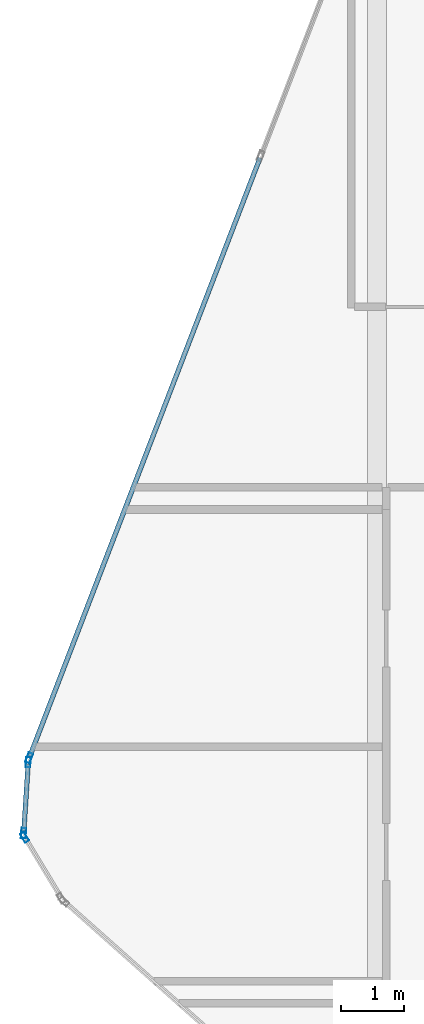
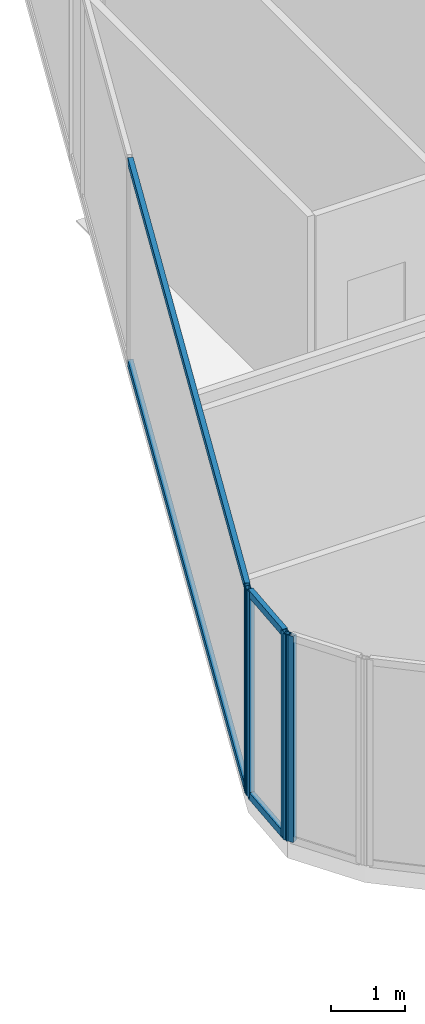
# One storey, part 8 of 27: 8 members, 3 elements without a shape of their own.
"""IFC4 building model written with IfcOpenShell, lengths in metres."""

from ifc_helpers import new_model, si_unit, direction, frame, origin, origin_2d, place, context, subcontext, project, spatial, hollow_rectangle, extrude, material, layer, layer_set, material_profile, profile_set, type_object, element, aggregate, save


model = new_model("IFC4")

# Units and contexts
model_context = context("Model", 3, precision=1e-05, world=origin(), true_north=direction((0.0, 1.0)))
body_context = subcontext(model_context, "Body", "Model", "MODEL_VIEW")
ifc_project = project(units=[si_unit("LENGTHUNIT", "METRE"), si_unit("AREAUNIT", "SQUARE_METRE"), si_unit("VOLUMEUNIT", "CUBIC_METRE"), si_unit("PLANEANGLEUNIT", "RADIAN"), si_unit("MASSUNIT", "GRAM", prefix="KILO")], contexts=[model_context])

# Site, building, storey
site_placement = place(None, origin())
site = spatial("IfcSite", under=ifc_project, at=site_placement, CompositionType="ELEMENT")
building_placement = place(site_placement, origin())
building = spatial("IfcBuilding", under=site, at=building_placement, Name="Keshet Zoharim Tower", CompositionType="ELEMENT")
storey_placement = place(building_placement, frame((0.0, 0.0, 284.300048828125)))
storey = spatial("IfcBuildingStorey", under=building, at=storey_placement, Name="L71", CompositionType="ELEMENT", Elevation=284.300048828125)

# Curtain wall, member
ifc_material = material(Name="Aluminium 6063-T6", Category="aluminium")
ifc_layer = layer(ifc_material, 0.260009765625)
ifc_layer_set = layer_set([ifc_layer], Name="Aluminium 6063-T6")
curtain_wall_type = type_object("IfcCurtainWallType", Name="CW-SYS-06", PredefinedType="NOTDEFINED", material=ifc_layer_set)
curtain_wall_1_placement = place(storey_placement, origin())
curtain_wall_1 = element("IfcCurtainWall", 1, at=curtain_wall_1_placement, inside=storey, type_object=curtain_wall_type, Name="L71 Unitised Curtain Wall 01", PredefinedType="NOTDEFINED")
ifc_material_profile_1 = material_profile(ifc_material, hollow_rectangle(XDim=0.074951171875, YDim=0.159912109375, WallThickness=0.00390625, at=origin_2d()), Name="MUL-75x160")
ifc_profile_set_1 = profile_set([ifc_material_profile_1], Name="Aluminium 6063-T6")
member_type_1 = type_object("IfcMemberType", Name="CWM-M15", PredefinedType="MULLION", material=ifc_profile_set_1)
member_1_placement = place(storey_placement, frame((3.43798828125, 22.77197265625, 0.0), z_axis=(0.0, 0.0, 1.0), x_axis=(-0.856826433805, -0.515604947933, 0.0)))
member_1 = element("IfcMember", 2, at=member_1_placement, type_object=member_type_1, Name="CW-06 mullion 2", PredefinedType="MULLION", context=body_context, shape_type="SweptSolid", body=[
    extrude(hollow_rectangle(XDim=0.074951171875, YDim=0.159912109375, WallThickness=0.00390625, at=origin_2d()), origin(), (0.0, 0.0, 1.0), 3.389892578125),
])
aggregate(curtain_wall_1, [member_1])

# Curtain wall, members
curtain_wall_2_placement = place(storey_placement, origin())
curtain_wall_2 = element("IfcCurtainWall", 3, at=curtain_wall_2_placement, inside=storey, type_object=curtain_wall_type, Name="L71 Unitised Curtain Wall 02", PredefinedType="NOTDEFINED")
member_2_placement = place(storey_placement, frame((3.42236328125, 22.8369140625, 0.0), z_axis=(0.0, 0.0, 1.0), x_axis=(-0.997916617186, 0.064516859374, 0.0)))
member_2 = element("IfcMember", 4, at=member_2_placement, type_object=member_type_1, Name="CW-06 mullion 1", PredefinedType="MULLION", context=body_context, shape_type="SweptSolid", body=[
    extrude(hollow_rectangle(XDim=0.074951171875, YDim=0.159912109375, WallThickness=0.00390625, at=origin_2d()), origin(), (0.0, 0.0, 1.0), 3.389892578125),
])
member_3_placement = place(storey_placement, frame((3.49462890625, 23.9580078125, 0.0), z_axis=(0.0, 0.0, 1.0), x_axis=(-0.997916617186, 0.064516859374, 0.0)))
member_3 = element("IfcMember", 5, at=member_3_placement, type_object=member_type_1, Name="CW-06 mullion 2", PredefinedType="MULLION", context=body_context, shape_type="SweptSolid", body=[
    extrude(hollow_rectangle(XDim=0.074951171875, YDim=0.159912109375, WallThickness=0.00390625, at=origin_2d()), origin(), (0.0, 0.0, 1.0), 3.389892578125),
])

# Curtain wall, member
curtain_wall_3_placement = place(storey_placement, origin())
curtain_wall_3 = element("IfcCurtainWall", 6, at=curtain_wall_3_placement, inside=storey, type_object=curtain_wall_type, Name="L71 Unitised Curtain Wall 03", PredefinedType="NOTDEFINED")
member_4_placement = place(storey_placement, frame((3.509521484375, 24.025634765625, 0.0), z_axis=(0.0, 0.0, 1.0), x_axis=(-0.933341404361, 0.358990003907, 0.0)))
member_4 = element("IfcMember", 7, at=member_4_placement, type_object=member_type_1, Name="CW-06 mullion 1", PredefinedType="MULLION", context=body_context, shape_type="SweptSolid", body=[
    extrude(hollow_rectangle(XDim=0.074951171875, YDim=0.159912109375, WallThickness=0.00390625, at=origin_2d()), origin(), (0.0, 0.0, 1.0), 3.389892578125),
])

# Member
ifc_material_profile_2 = material_profile(ifc_material, hollow_rectangle(XDim=0.074951171875, YDim=0.1201171875, WallThickness=0.00390625, at=origin_2d()), Name="TRN-75x120")
ifc_profile_set_2 = profile_set([ifc_material_profile_2], Name="Aluminium 6063-T6")
member_type_2 = type_object("IfcMemberType", Name="CWT-T12", PredefinedType="USERDEFINED", material=ifc_profile_set_2)
member_5_placement = place(storey_placement, frame((3.424560546875, 22.871826171875, 0.034912109375), z_axis=(0.064426947155, 0.997922426083, 0.0), x_axis=(-0.997922426083, 0.064426947155, 0.0)))
member_5 = element("IfcMember", 8, at=member_5_placement, type_object=member_type_2, Name="CW-06 transom 1.1", ObjectType="TRANSOM", PredefinedType="USERDEFINED", context=body_context, shape_type="SweptSolid", body=[
    extrude(hollow_rectangle(XDim=0.074951171875, YDim=0.1201171875, WallThickness=0.00390625, at=origin_2d()), origin(), (0.0, 0.0, 1.0), 1.053466796875),
])

member_6_placement = place(storey_placement, frame((3.424560546875, 22.871826171875, 3.35498046875), z_axis=(0.064426947155, 0.997922426083, 0.0), x_axis=(-0.997922426083, 0.064426947155, 0.0)))
member_6 = element("IfcMember", 9, at=member_6_placement, type_object=member_type_2, Name="CW-06 transom 1.2", ObjectType="TRANSOM", PredefinedType="USERDEFINED", context=body_context, shape_type="SweptSolid", body=[
    extrude(hollow_rectangle(XDim=0.074951171875, YDim=0.1201171875, WallThickness=0.00390625, at=origin_2d()), origin(), (0.0, 0.0, 1.0), 1.053466796875),
])

aggregate(curtain_wall_2, [member_2, member_3, member_5, member_6])

member_7_placement = place(storey_placement, frame((3.522216796875, 24.058349609375, 0.034912109375), z_axis=(0.358993631387, 0.93334000912, 0.0), x_axis=(-0.93334000912, 0.358993631387, 0.0)))
member_7 = element("IfcMember", 10, at=member_7_placement, type_object=member_type_2, Name="CW-06 transom 1.1", ObjectType="TRANSOM", PredefinedType="USERDEFINED", context=body_context, shape_type="SweptSolid", body=[
    extrude(hollow_rectangle(XDim=0.074951171875, YDim=0.1201171875, WallThickness=0.00390625, at=origin_2d()), origin(), (0.0, 0.0, 1.0), 10.1181640625),
])

member_8_placement = place(storey_placement, frame((3.522216796875, 24.058349609375, 3.35498046875), z_axis=(0.358993631387, 0.93334000912, 0.0), x_axis=(-0.93334000912, 0.358993631387, 0.0)))
member_8 = element("IfcMember", 11, at=member_8_placement, type_object=member_type_2, Name="CW-06 transom 1.2", ObjectType="TRANSOM", PredefinedType="USERDEFINED", context=body_context, shape_type="SweptSolid", body=[
    extrude(hollow_rectangle(XDim=0.074951171875, YDim=0.1201171875, WallThickness=0.00390625, at=origin_2d()), origin(), (0.0, 0.0, 1.0), 10.1181640625),
])

aggregate(curtain_wall_3, [member_4, member_7, member_8])

save(model, "model.ifc")
